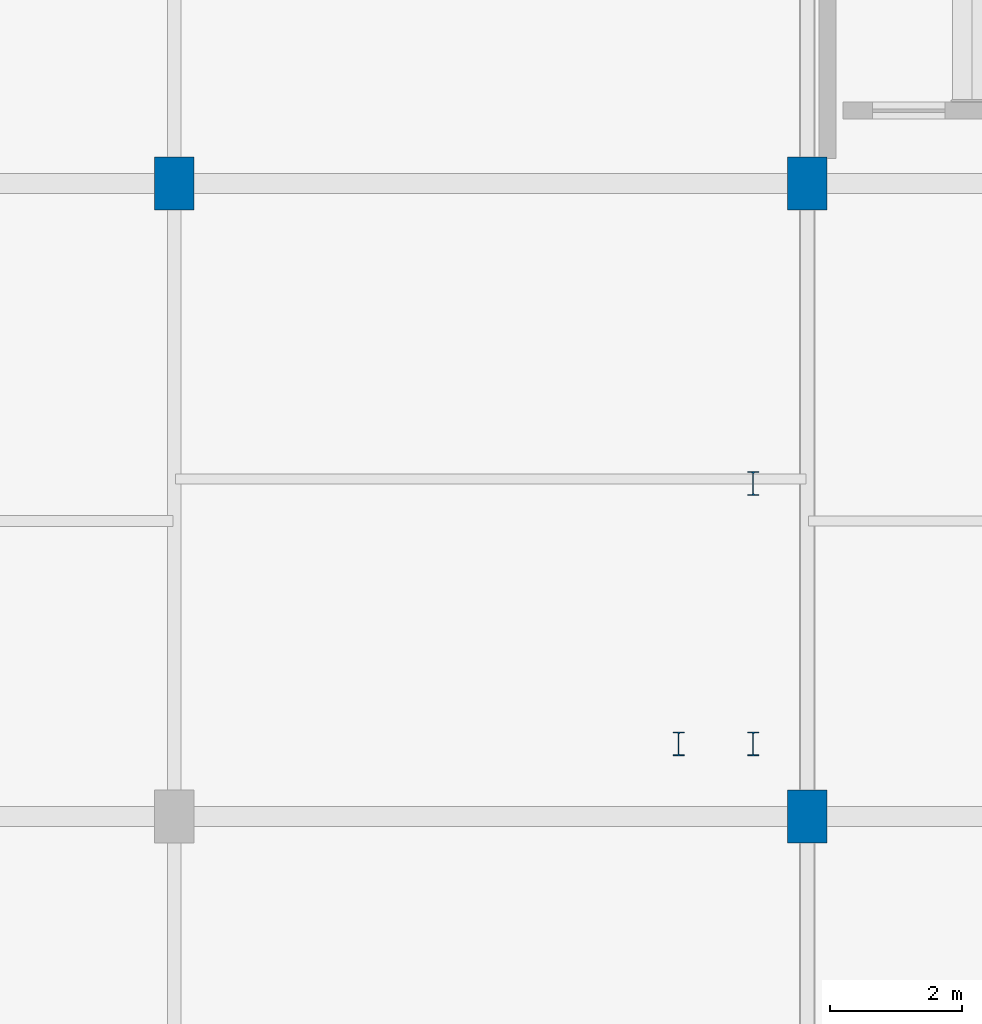
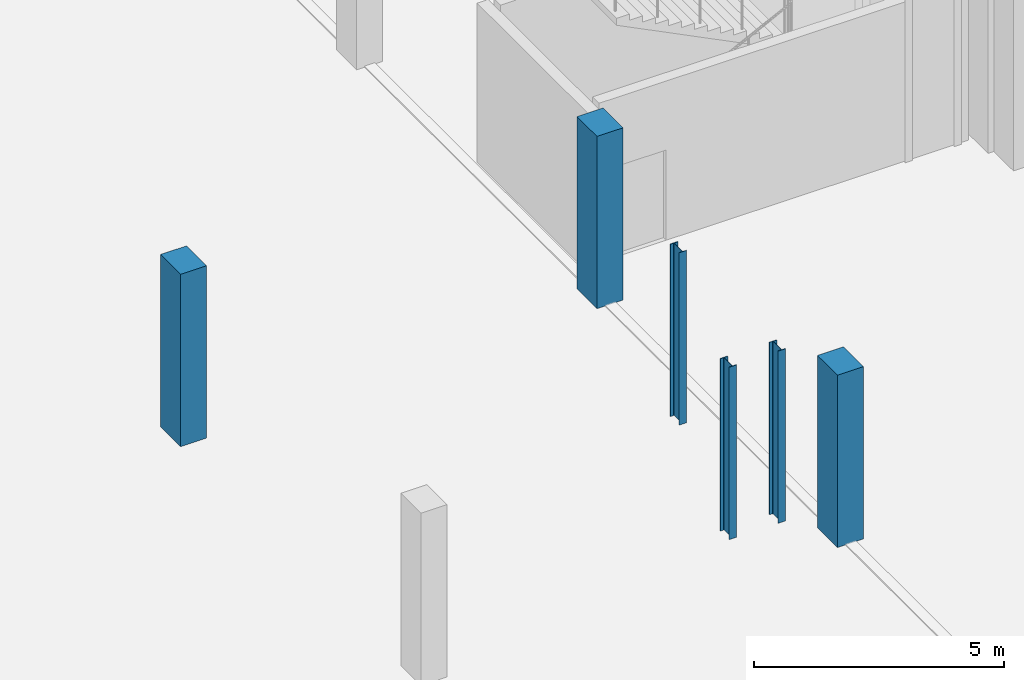
# One storey, part 11 of 47: 6 columns.
"""IFC4 building model written with IfcOpenShell, lengths in metres."""

from ifc_helpers import new_model, si_unit, direction, frame, origin, origin_2d, place, context, subcontext, project, spatial, rectangle, i_section, extrude, material, material_profile, profile_set, type_object, element, save


model = new_model("IFC4")

# Units and contexts
model_context = context("Model", 3, precision=1e-05, world=origin(), true_north=direction((0.0, 1.0)))
body_context = subcontext(model_context, "Body", "Model", "MODEL_VIEW")
ifc_project = project(units=[si_unit("LENGTHUNIT", "METRE"), si_unit("AREAUNIT", "SQUARE_METRE"), si_unit("VOLUMEUNIT", "CUBIC_METRE"), si_unit("PLANEANGLEUNIT", "RADIAN"), si_unit("MASSUNIT", "GRAM", prefix="KILO")], contexts=[model_context])

# Site, building, storey
site_placement = place(None, origin())
site = spatial("IfcSite", under=ifc_project, at=site_placement, CompositionType="ELEMENT")
building_placement = place(site_placement, origin())
building = spatial("IfcBuilding", under=site, at=building_placement, Name="Zevrakil Square Congress Hotel", CompositionType="ELEMENT")
storey_placement = place(building_placement, frame((0.0, 0.0, -4.199951171875)))
storey = spatial("IfcBuildingStorey", under=building, at=storey_placement, Name="B1", CompositionType="ELEMENT", Elevation=-4.199951171875)

# Columns
ifc_material_1 = material(Name="Steel S355", Category="steel")
ifc_material_profile_1 = material_profile(ifc_material_1, i_section(OverallWidth=0.169921875, OverallDepth=0.360107421875, WebThickness=0.008056640625, FlangeThickness=0.0126953125, FilletRadius=0.01806640625, at=origin_2d()), Name="IPE 360")
ifc_profile_set_1 = profile_set([ifc_material_profile_1], Name="Steel S355")
column_type_1 = type_object("IfcColumnType", Name="COL-PILASTER-SHS180", PredefinedType="PILASTER", material=ifc_profile_set_1)
for number, where, z_axis, x_axis, name in (
    (1, (53.25, 75.5, 0.0), (0.0, 0.0, 1.0), (1.0, 0.0, 0.0), "B1 ST14 stair shaft post 1"),
    (2, (54.3798828125, 75.5, 0.0), (0.0, 0.0, 1.0), (1.0, 0.0, 0.0), "B1 ST14 stair shaft post 2"),
    (3, (54.3798828125, 79.449951171875, 0.0), (0.0, 0.0, 1.0), (1.0, 0.0, 0.0), "B1 ST14 stair shaft post 3"),
):
    element("IfcColumn", number, at=place(storey_placement, frame(where, z_axis=z_axis, x_axis=x_axis)), inside=storey, type_object=column_type_1, Name=name, PredefinedType="PILASTER", context=body_context, shape_type="SweptSolid", body=[
        extrude(i_section(OverallWidth=0.169921875, OverallDepth=0.360107421875, WebThickness=0.008056640625, FlangeThickness=0.0126953125, FilletRadius=0.01806640625, at=origin_2d()), origin(), (0.0, 0.0, 1.0), 4.199951171875),
    ])
ifc_material_2 = material(Name="Concrete C40/50", Category="concrete")
ifc_material_profile_2 = material_profile(ifc_material_2, rectangle(XDim=0.60009765625, YDim=0.800048828125, at=origin_2d()), Name="RC 600x800")
ifc_profile_set_2 = profile_set([ifc_material_profile_2], Name="Concrete C40/50")
column_type_2 = type_object("IfcColumnType", Name="COL-RC600x800", PredefinedType="COLUMN", material=ifc_profile_set_2)
for number, where, z_axis, x_axis, name in (
    (4, (45.60009765625, 84.0, 0.0), (0.0, 0.0, 1.0), (1.0, 0.0, 0.0), "B1 column C-076"),
    (5, (55.199951171875, 74.39990234375, 0.0), (0.0, 0.0, 1.0), (1.0, 0.0, 0.0), "B1 column C-093"),
    (6, (55.199951171875, 84.0, 0.0), (0.0, 0.0, 1.0), (1.0, 0.0, 0.0), "B1 column C-094"),
):
    element("IfcColumn", number, at=place(storey_placement, frame(where, z_axis=z_axis, x_axis=x_axis)), inside=storey, type_object=column_type_2, Name=name, PredefinedType="COLUMN", context=body_context, shape_type="SweptSolid", body=[
        extrude(rectangle(XDim=0.60009765625, YDim=0.800048828125, at=origin_2d()), origin(), (0.0, 0.0, 1.0), 4.199951171875),
    ])

save(model, "model.ifc")
